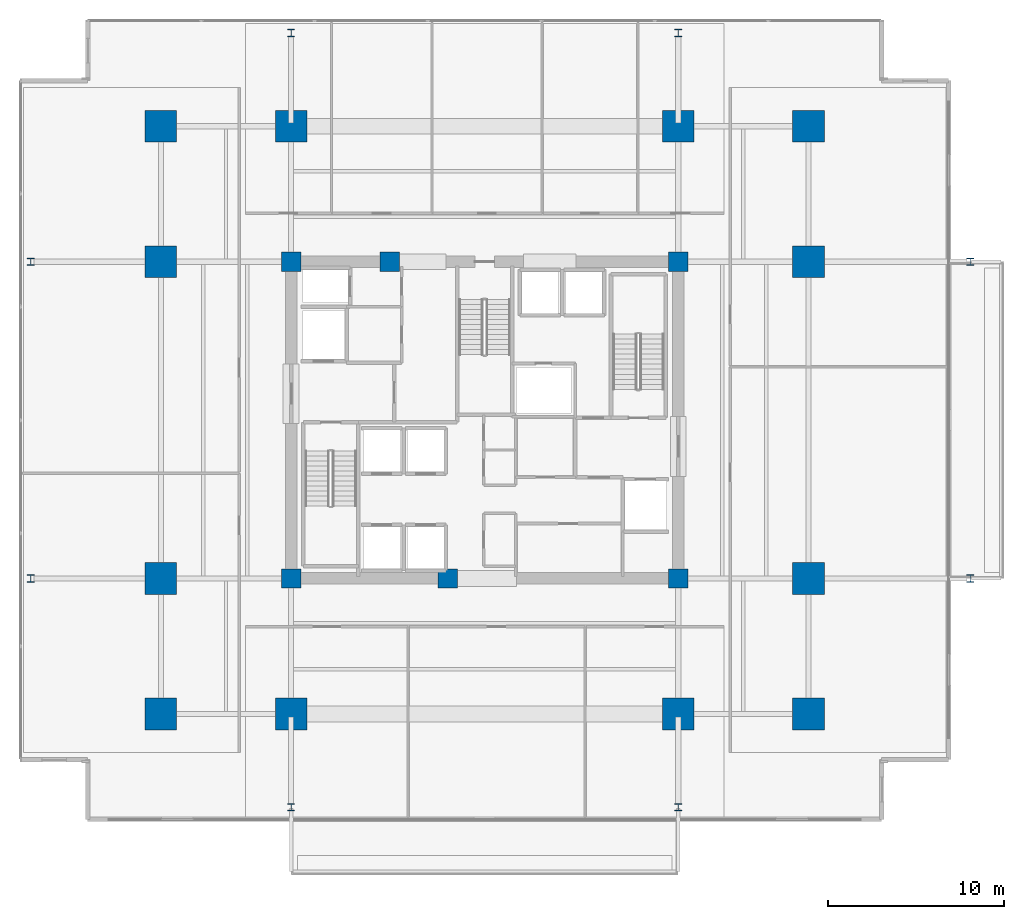
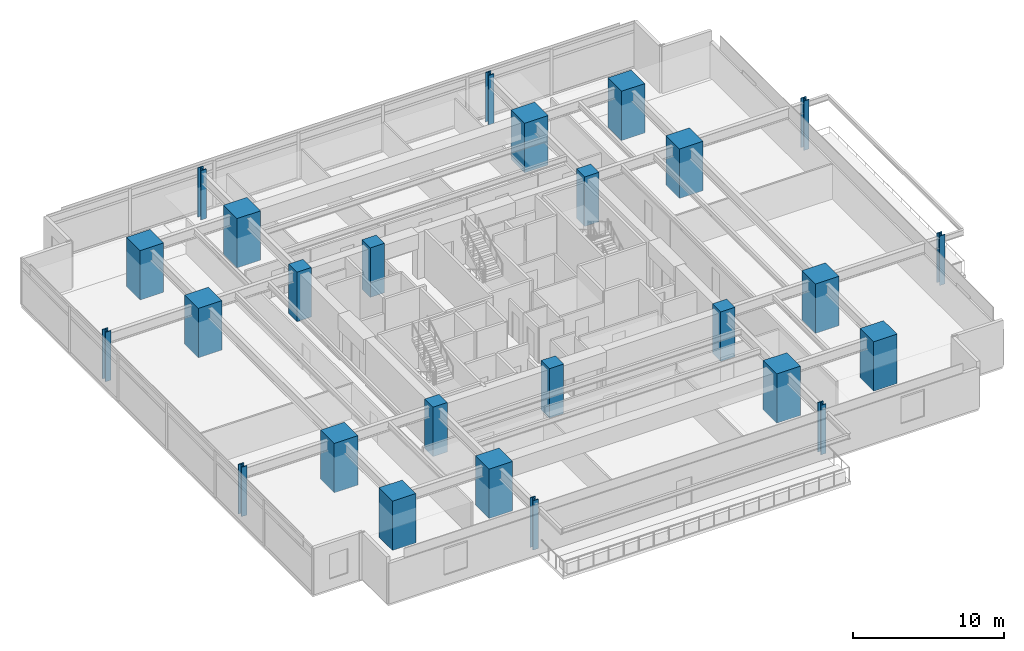
# One storey, part 1 of 23: 26 columns.
"""IFC4 building model written with IfcOpenShell, lengths in metres."""

from ifc_helpers import new_model, si_unit, direction, frame, origin, origin_2d, place, context, subcontext, project, spatial, rectangle, i_section, extrude, material, material_profile, profile_set, type_object, element, save


model = new_model("IFC4")

# Units and contexts
model_context = context("Model", 3, precision=1e-05, world=origin(), true_north=direction((0.0, 1.0)))
body_context = subcontext(model_context, "Body", "Model", "MODEL_VIEW")
ifc_project = project(units=[si_unit("LENGTHUNIT", "METRE"), si_unit("AREAUNIT", "SQUARE_METRE"), si_unit("VOLUMEUNIT", "CUBIC_METRE"), si_unit("PLANEANGLEUNIT", "RADIAN"), si_unit("MASSUNIT", "GRAM", prefix="KILO")], contexts=[model_context])

# Site, building, storey
site_placement = place(None, origin())
site = spatial("IfcSite", under=ifc_project, at=site_placement, CompositionType="ELEMENT")
building_placement = place(site_placement, origin())
building = spatial("IfcBuilding", under=site, at=building_placement, Name="Kovane Verandah Tower", CompositionType="ELEMENT")
storey_placement = place(building_placement, frame((0.0, 0.0, 91.60009765625)))
storey = spatial("IfcBuildingStorey", under=building, at=storey_placement, Name="L21", CompositionType="ELEMENT", Elevation=91.60009765625)

# Columns
ifc_material_1 = material(Name="Concrete C80/95", Category="concrete")
ifc_material_profile_1 = material_profile(ifc_material_1, rectangle(XDim=1.800048828125, YDim=1.800048828125, at=origin_2d()), Name="RC1800x1800")
ifc_profile_set_1 = profile_set([ifc_material_profile_1], Name="Concrete C80/95")
column_type_1 = type_object("IfcColumnType", Name="COL-RC1800", PredefinedType="COLUMN", material=ifc_profile_set_1)
for number, where, z_axis, x_axis, name in (
    (1, (29.0, 10.800048828125, 0.0), (0.0, 0.0, 1.0), (1.0, 0.0, 0.0), "L21 Tower Mega-Column MC-S1"),
    (2, (51.0, 10.800048828125, 0.0), (0.0, 0.0, 1.0), (1.0, 0.0, 0.0), "L21 Tower Mega-Column MC-S2"),
    (3, (29.0, 44.199951171875, 0.0), (0.0, 0.0, 1.0), (1.0, 0.0, 0.0), "L21 Tower Mega-Column MC-N1"),
    (4, (51.0, 44.199951171875, 0.0), (0.0, 0.0, 1.0), (1.0, 0.0, 0.0), "L21 Tower Mega-Column MC-N2"),
    (5, (21.60009765625, 18.5, 0.0), (0.0, 0.0, 1.0), (1.0, 0.0, 0.0), "L21 Tower Mega-Column MC-W1"),
    (6, (21.60009765625, 36.5, 0.0), (0.0, 0.0, 1.0), (1.0, 0.0, 0.0), "L21 Tower Mega-Column MC-W2"),
    (7, (58.39990234375, 18.5, 0.0), (0.0, 0.0, 1.0), (1.0, 0.0, 0.0), "L21 Tower Mega-Column MC-E1"),
    (8, (58.39990234375, 36.5, 0.0), (0.0, 0.0, 1.0), (1.0, 0.0, 0.0), "L21 Tower Mega-Column MC-E2"),
    (9, (21.60009765625, 10.800048828125, 0.0), (0.0, 0.0, 1.0), (1.0, 0.0, 0.0), "L21 Tower Mega-Column MC-SW"),
    (10, (58.39990234375, 10.800048828125, 0.0), (0.0, 0.0, 1.0), (1.0, 0.0, 0.0), "L21 Tower Mega-Column MC-SE"),
    (11, (21.60009765625, 44.199951171875, 0.0), (0.0, 0.0, 1.0), (1.0, 0.0, 0.0), "L21 Tower Mega-Column MC-NW"),
    (12, (58.39990234375, 44.199951171875, 0.0), (0.0, 0.0, 1.0), (1.0, 0.0, 0.0), "L21 Tower Mega-Column MC-NE"),
):
    element("IfcColumn", number, at=place(storey_placement, frame(where, z_axis=z_axis, x_axis=x_axis)), inside=storey, type_object=column_type_1, Name=name, PredefinedType="COLUMN", context=body_context, shape_type="SweptSolid", body=[
        extrude(rectangle(XDim=1.800048828125, YDim=1.800048828125, at=origin_2d()), origin(), (0.0, 0.0, 1.0), 4.0),
    ])
ifc_material_2 = material(Name="Steel S460", Category="steel")
ifc_material_profile_2 = material_profile(ifc_material_2, i_section(OverallWidth=0.412109375, OverallDepth=0.4365234375, WebThickness=0.035888671875, FlangeThickness=0.05810546875, FilletRadius=0.01513671875, at=origin_2d()), Name="UC356x406x467")
ifc_profile_set_2 = profile_set([ifc_material_profile_2], Name="Steel S460")
column_type_2 = type_object("IfcColumnType", Name="COL-UC467", PredefinedType="COLUMN", material=ifc_profile_set_2)
for number, where, z_axis, x_axis, name in (
    (13, (14.199951171875, 18.5, 0.0), (0.0, 0.0, 1.0), (1.0, 0.0, 0.0), "L21 Verandah Perimeter Column VC-W1"),
    (14, (14.199951171875, 36.5, 0.0), (0.0, 0.0, 1.0), (1.0, 0.0, 0.0), "L21 Verandah Perimeter Column VC-W2"),
    (15, (67.60009765625, 18.5, 0.0), (0.0, 0.0, 1.0), (1.0, 0.0, 0.0), "L21 Verandah Perimeter Column VC-E1"),
    (16, (67.60009765625, 36.5, 0.0), (0.0, 0.0, 1.0), (1.0, 0.0, 0.0), "L21 Verandah Perimeter Column VC-E2"),
    (17, (29.0, 5.5, 0.0), (0.0, 0.0, 1.0), (1.0, 0.0, 0.0), "L21 Verandah Perimeter Column VC-S1"),
    (18, (51.0, 5.5, 0.0), (0.0, 0.0, 1.0), (1.0, 0.0, 0.0), "L21 Verandah Perimeter Column VC-S2"),
    (19, (29.0, 49.5, 0.0), (0.0, 0.0, 1.0), (1.0, 0.0, 0.0), "L21 Verandah Perimeter Column VC-N1"),
    (20, (51.0, 49.5, 0.0), (0.0, 0.0, 1.0), (1.0, 0.0, 0.0), "L21 Verandah Perimeter Column VC-N2"),
):
    element("IfcColumn", number, at=place(storey_placement, frame(where, z_axis=z_axis, x_axis=x_axis)), inside=storey, type_object=column_type_2, Name=name, PredefinedType="COLUMN", context=body_context, shape_type="SweptSolid", body=[
        extrude(i_section(OverallWidth=0.412109375, OverallDepth=0.4365234375, WebThickness=0.035888671875, FlangeThickness=0.05810546875, FilletRadius=0.01513671875, at=origin_2d()), origin(), (0.0, 0.0, 1.0), 4.0),
    ])
ifc_material_profile_3 = material_profile(ifc_material_1, rectangle(XDim=1.10009765625, YDim=1.10009765625, at=origin_2d()), Name="RC1100x1100")
ifc_profile_set_3 = profile_set([ifc_material_profile_3], Name="Concrete C80/95")
column_type_3 = type_object("IfcColumnType", Name="PIL-RC1100", PredefinedType="PILASTER", material=ifc_profile_set_3)
for number, where, z_axis, x_axis, name in (
    (21, (29.0, 18.5, 0.0), (0.0, 0.0, 1.0), (1.0, 0.0, 0.0), "L21 Core Pilaster CP-SW"),
    (22, (51.0, 18.5, 0.0), (0.0, 0.0, 1.0), (1.0, 0.0, 0.0), "L21 Core Pilaster CP-SE"),
    (23, (29.0, 36.5, 0.0), (0.0, 0.0, 1.0), (1.0, 0.0, 0.0), "L21 Core Pilaster CP-NW"),
    (24, (51.0, 36.5, 0.0), (0.0, 0.0, 1.0), (1.0, 0.0, 0.0), "L21 Core Pilaster CP-NE"),
    (25, (37.89990234375, 18.5, 0.0), (0.0, 0.0, 1.0), (1.0, 0.0, 0.0), "L21 Core Pilaster CP-S"),
    (26, (34.60009765625, 36.5, 0.0), (0.0, 0.0, 1.0), (1.0, 0.0, 0.0), "L21 Core Pilaster CP-N"),
):
    element("IfcColumn", number, at=place(storey_placement, frame(where, z_axis=z_axis, x_axis=x_axis)), inside=storey, type_object=column_type_3, Name=name, PredefinedType="PILASTER", context=body_context, shape_type="SweptSolid", body=[
        extrude(rectangle(XDim=1.10009765625, YDim=1.10009765625, at=origin_2d()), origin(), (0.0, 0.0, 1.0), 4.0),
    ])

save(model, "model.ifc")
